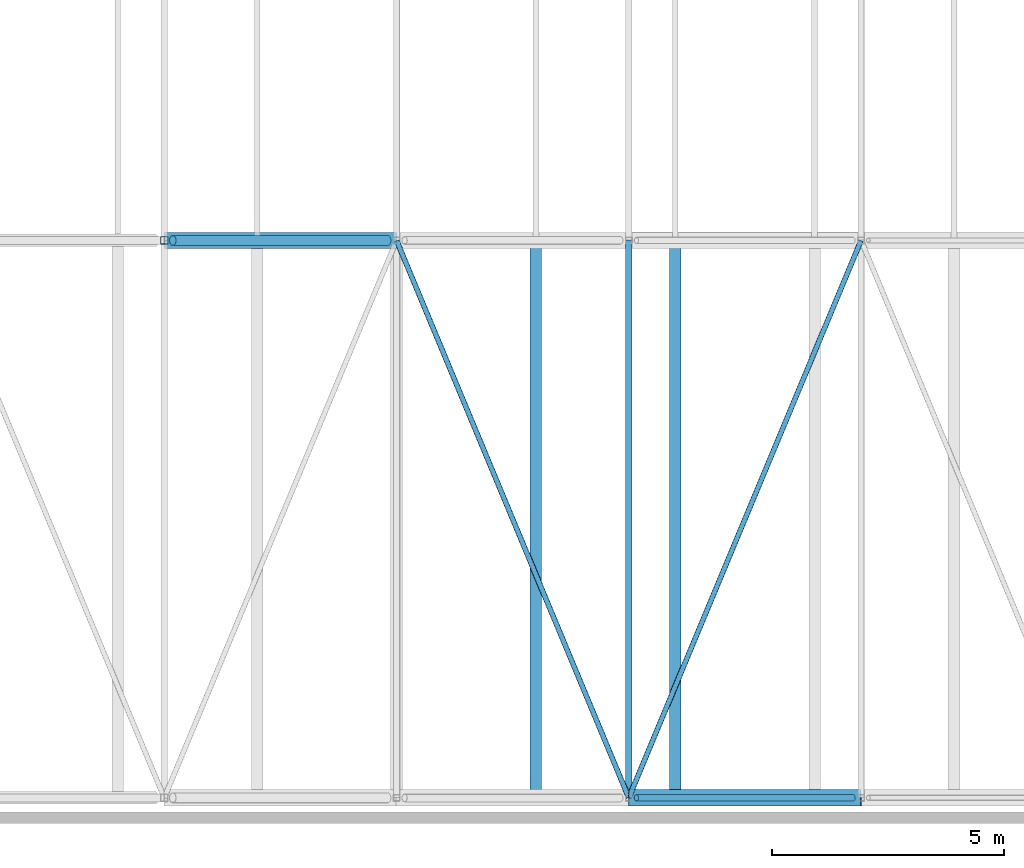
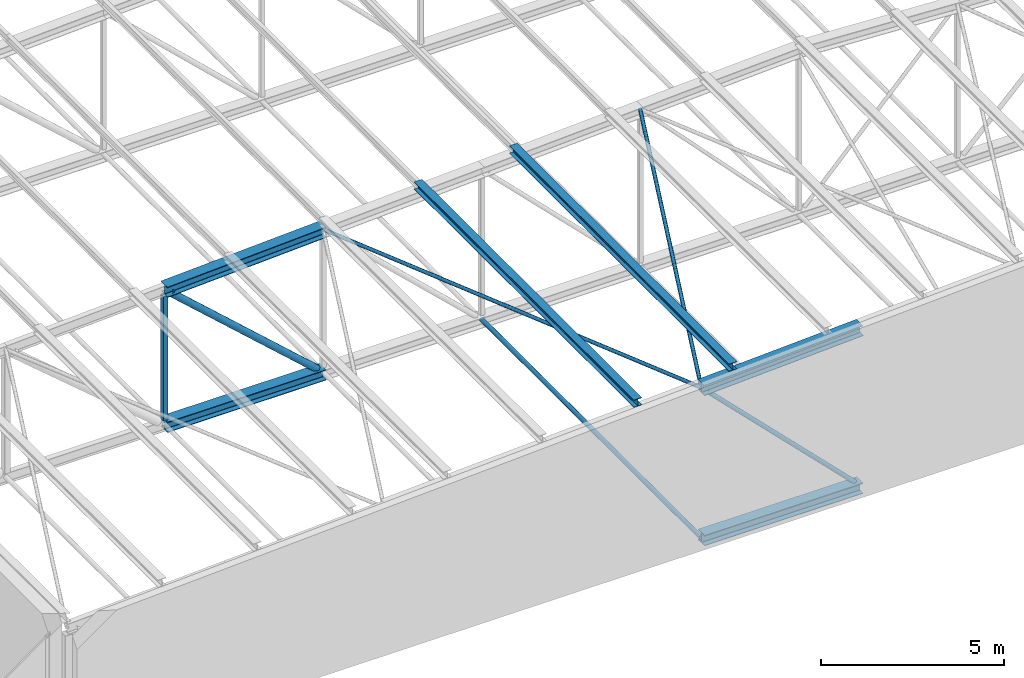
# One storey, part 14 of 156: 12 members.
"""IFC4 building model written with IfcOpenShell, lengths in metres."""

from ifc_helpers import new_model, si_unit, direction, frame, origin, origin_2d, place, context, subcontext, project, spatial, hollow_rectangle, hollow_circle, i_section, extrude, material, material_profile, profile_set, type_object, element, save


model = new_model("IFC4")

# Units and contexts
model_context = context("Model", 3, precision=1e-05, world=origin(), true_north=direction((0.0, 1.0)))
body_context = subcontext(model_context, "Body", "Model", "MODEL_VIEW")
ifc_project = project(units=[si_unit("LENGTHUNIT", "METRE"), si_unit("AREAUNIT", "SQUARE_METRE"), si_unit("VOLUMEUNIT", "CUBIC_METRE"), si_unit("PLANEANGLEUNIT", "RADIAN"), si_unit("MASSUNIT", "GRAM", prefix="KILO")], contexts=[model_context])

# Site, building, storey
site_placement = place(None, origin())
site = spatial("IfcSite", under=ifc_project, at=site_placement, CompositionType="ELEMENT")
building_placement = place(site_placement, origin())
building = spatial("IfcBuilding", under=site, at=building_placement, Name="Lilac Gate Convention Centre", CompositionType="ELEMENT")
storey_placement = place(building_placement, frame((0.0, 0.0, 17.0)))
storey = spatial("IfcBuildingStorey", under=building, at=storey_placement, Name="L03", CompositionType="ELEMENT", Elevation=17.0)

# Members
ifc_material = material(Name="Steel Q355B", Category="steel")
ifc_material_profile_1 = material_profile(ifc_material, hollow_circle(Radius=0.06982421875, WallThickness=0.0048828125, at=origin_2d()), Name="CHS139.7x5")
ifc_profile_set_1 = profile_set([ifc_material_profile_1], Name="Steel Q355B")
member_type_1 = type_object("IfcMemberType", Name="Bottom chord tie CHS139.7x5", PredefinedType="STRUT", material=ifc_profile_set_1)
member_1_placement = place(storey_placement, frame((50.0, 30.006103515625, 0.0), z_axis=(0.0, 1.0, 0.0), x_axis=(-1.0, 0.0, 0.0)))
element("IfcMember", 1, at=member_1_placement, inside=storey, type_object=member_type_1, Name="ST1 tie bay 1 node 5", PredefinedType="STRUT", context=body_context, shape_type="SweptSolid", body=[
    extrude(hollow_circle(Radius=0.06982421875, WallThickness=0.0048828125, at=origin_2d()), origin(), (0.0, 0.0, 1.0), 11.98779296875),
])
ifc_material_profile_2 = material_profile(ifc_material, hollow_circle(Radius=0.05712890625, WallThickness=0.0048828125, at=origin_2d()), Name="CHS114.3x5")
ifc_profile_set_2 = profile_set([ifc_material_profile_2], Name="Steel Q355B")
member_type_2 = type_object("IfcMemberType", Name="Roof plane bracing CHS114.3x5", PredefinedType="BRACE", material=ifc_profile_set_2)
for number, where, z_axis, x_axis, name in (
    (2, (45.00244140625, 41.993896484375, 4.75), (0.384557486582, -0.922900376645, 0.019246669905), (0.923071361129, 0.384628733019, 0.0), "BR1 plan bracing bay 1 panel 4"),
    (3, (50.00244140625, 30.006103515625, 5.0), (0.384557486582, 0.922900376645, 0.019246669905), (-0.923071361129, 0.384628733019, 0.0), "BR1 plan bracing bay 1 panel 5"),
):
    element("IfcMember", number, at=place(storey_placement, frame(where, z_axis=z_axis, x_axis=x_axis)), inside=storey, type_object=member_type_2, Name=name, PredefinedType="BRACE", context=body_context, shape_type="SweptSolid", body=[
        extrude(hollow_circle(Radius=0.05712890625, WallThickness=0.0048828125, at=origin_2d()), origin(), (0.0, 0.0, 1.0), 12.9892578125),
    ])
ifc_material_profile_3 = material_profile(ifc_material, i_section(OverallWidth=0.25, OverallDepth=0.25, WebThickness=0.009033203125, FlangeThickness=0.013916015625, FilletRadius=0.012939453125, at=origin_2d()), Name="HW250x250x9x14")
ifc_profile_set_3 = profile_set([ifc_material_profile_3], Name="Steel Q355B")
member_type_3 = type_object("IfcMemberType", Name="Roof purlin HW250x250x9x14", PredefinedType="PURLIN", material=ifc_profile_set_3)
for number, where, z_axis, x_axis, name in (
    (4, (48.0, 30.0, 5.2001953125), (0.0, 1.0, 0.0), (-1.0, 0.0, 0.0), "PU1 purlin bay 1 line 7"),
    (5, (51.0, 30.0, 5.35009765625), (0.0, 1.0, 0.0), (-1.0, 0.0, 0.0), "PU1 purlin bay 1 line 8"),
):
    element("IfcMember", number, at=place(storey_placement, frame(where, z_axis=z_axis, x_axis=x_axis)), inside=storey, type_object=member_type_3, Name=name, PredefinedType="PURLIN", context=body_context, shape_type="SweptSolid", body=[
        extrude(i_section(OverallWidth=0.25, OverallDepth=0.25, WebThickness=0.009033203125, FlangeThickness=0.013916015625, FilletRadius=0.012939453125, at=origin_2d()), origin(), (0.0, 0.0, 1.0), 12.0),
    ])
ifc_material_profile_4 = material_profile(ifc_material, i_section(OverallWidth=0.35009765625, OverallDepth=0.35009765625, WebThickness=0.011962890625, FlangeThickness=0.01904296875, FilletRadius=0.012939453125, at=origin_2d()), Name="HW350x350x12x19")
ifc_profile_set_4 = profile_set([ifc_material_profile_4], Name="Steel Q355B")
member_type_4 = type_object("IfcMemberType", Name="Truss bottom chord HW350x350x12x19", PredefinedType="CHORD", material=ifc_profile_set_4)
member_2_placement = place(storey_placement, frame((40.0, 42.0, 0.0), z_axis=(1.0, 0.0, 0.0), x_axis=(0.0, 1.0, 0.0)))
element("IfcMember", 6, at=member_2_placement, inside=storey, type_object=member_type_4, Name="TB2 truss 2 bottom chord 3", PredefinedType="CHORD", context=body_context, shape_type="SweptSolid", body=[
    extrude(i_section(OverallWidth=0.35009765625, OverallDepth=0.35009765625, WebThickness=0.011962890625, FlangeThickness=0.01904296875, FilletRadius=0.012939453125, at=origin_2d()), origin(), (0.0, 0.0, 1.0), 5.0),
])
ifc_material_profile_5 = material_profile(ifc_material, i_section(OverallWidth=0.35693359375, OverallDepth=0.35009765625, WebThickness=0.01904296875, FlangeThickness=0.01904296875, FilletRadius=0.012939453125, at=origin_2d()), Name="HW350x357x19x19")
ifc_profile_set_5 = profile_set([ifc_material_profile_5], Name="Steel Q355B")
member_type_5 = type_object("IfcMemberType", Name="Truss bottom chord HW350x357x19x19", PredefinedType="CHORD", material=ifc_profile_set_5)
member_3_placement = place(storey_placement, frame((50.0, 30.0, 0.0), z_axis=(1.0, 0.0, 0.0), x_axis=(0.0, 1.0, 0.0)))
element("IfcMember", 7, at=member_3_placement, inside=storey, type_object=member_type_5, Name="TB3 truss 1 bottom chord 5", PredefinedType="CHORD", context=body_context, shape_type="SweptSolid", body=[
    extrude(i_section(OverallWidth=0.35693359375, OverallDepth=0.35009765625, WebThickness=0.01904296875, FlangeThickness=0.01904296875, FilletRadius=0.012939453125, at=origin_2d()), origin(), (0.0, 0.0, 1.0), 5.0),
])
ifc_material_profile_6 = material_profile(ifc_material, hollow_circle(Radius=0.06982421875, WallThickness=0.006103515625, at=origin_2d()), Name="CHS139.7x6")
ifc_profile_set_6 = profile_set([ifc_material_profile_6], Name="Steel Q355B")
member_type_6 = type_object("IfcMemberType", Name="Truss diagonal CHS139.7x6", PredefinedType="BRACE", material=ifc_profile_set_6)
member_4_placement = place(storey_placement, frame((50.164306640625, 30.0, 4.835693359375), z_axis=(0.707106781187, 0.0, -0.707106781187), x_axis=(0.0, 1.0, 0.0)))
element("IfcMember", 8, at=member_4_placement, inside=storey, type_object=member_type_6, Name="TW5 truss 1 diagonal 5", PredefinedType="BRACE", context=body_context, shape_type="SweptSolid", body=[
    extrude(hollow_circle(Radius=0.06982421875, WallThickness=0.006103515625, at=origin_2d()), origin(), (0.0, 0.0, 1.0), 6.591064453125),
])
ifc_material_profile_7 = material_profile(ifc_material, hollow_circle(Radius=0.109619140625, WallThickness=0.008056640625, at=origin_2d()), Name="CHS219.1x8")
ifc_profile_set_7 = profile_set([ifc_material_profile_7], Name="Steel Q355B")
member_type_7 = type_object("IfcMemberType", Name="Truss diagonal CHS219.1x8", PredefinedType="BRACE", material=ifc_profile_set_7)
member_5_placement = place(storey_placement, frame((40.1826171875, 42.0, 4.335693359375), z_axis=(0.743301953498, 0.0, -0.668956056797), x_axis=(0.0, 1.0, 0.0)))
element("IfcMember", 9, at=member_5_placement, inside=storey, type_object=member_type_7, Name="TW3 truss 2 diagonal 3", PredefinedType="BRACE", context=body_context, shape_type="SweptSolid", body=[
    extrude(hollow_circle(Radius=0.109619140625, WallThickness=0.008056640625, at=origin_2d()), origin(), (0.0, 0.0, 1.0), 6.2197265625),
])
ifc_material_profile_8 = material_profile(ifc_material, i_section(OverallWidth=0.35009765625, OverallDepth=0.35009765625, WebThickness=0.011962890625, FlangeThickness=0.01904296875, FilletRadius=0.012939453125, at=origin_2d()), Name="HW350x350x12x19")
ifc_profile_set_8 = profile_set([ifc_material_profile_8], Name="Steel Q355B")
member_type_8 = type_object("IfcMemberType", Name="Truss top chord HW350x350x12x19", PredefinedType="CHORD", material=ifc_profile_set_8)
for number, where, z_axis, x_axis, name in (
    (10, (50.0, 30.0, 5.0), (0.998752338878, 0.0, 0.049937616944), (0.0, 1.0, 0.0), "TT2 truss 1 top chord 5"),
    (11, (40.0, 42.0, 4.5), (0.998752338878, 0.0, 0.049937616944), (0.0, 1.0, 0.0), "TT2 truss 2 top chord 3"),
):
    element("IfcMember", number, at=place(storey_placement, frame(where, z_axis=z_axis, x_axis=x_axis)), inside=storey, type_object=member_type_8, Name=name, PredefinedType="CHORD", context=body_context, shape_type="SweptSolid", body=[
        extrude(i_section(OverallWidth=0.35009765625, OverallDepth=0.35009765625, WebThickness=0.011962890625, FlangeThickness=0.01904296875, FilletRadius=0.012939453125, at=origin_2d()), origin(), (0.0, 0.0, 1.0), 5.00634765625),
    ])
ifc_material_profile_9 = material_profile(ifc_material, hollow_rectangle(XDim=0.159912109375, YDim=0.159912109375, WallThickness=0.006103515625, InnerFilletRadius=0.006103515625, OuterFilletRadius=0.011962890625, at=origin_2d()), Name="SHS160x160x6")
ifc_profile_set_9 = profile_set([ifc_material_profile_9], Name="Steel Q355B")
member_type_9 = type_object("IfcMemberType", Name="Truss vertical SHS160x160x6", PredefinedType="STRUT", material=ifc_profile_set_9)
member_6_placement = place(storey_placement, frame((40.0, 42.0, 0.175048828125), z_axis=(0.0, 0.0, 1.0), x_axis=(1.0, 0.0, 0.0)))
element("IfcMember", 12, at=member_6_placement, inside=storey, type_object=member_type_9, Name="TV3 truss 2 vertical 3", PredefinedType="STRUT", context=body_context, shape_type="SweptSolid", body=[
    extrude(hollow_rectangle(XDim=0.159912109375, YDim=0.159912109375, WallThickness=0.006103515625, InnerFilletRadius=0.006103515625, OuterFilletRadius=0.011962890625, at=origin_2d()), origin(), (0.0, 0.0, 1.0), 4.149658203125),
])

save(model, "model.ifc")
